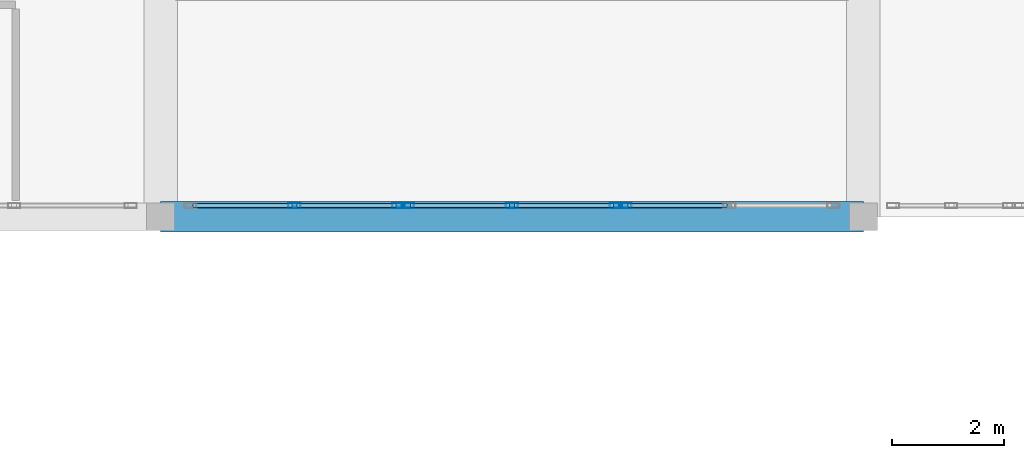
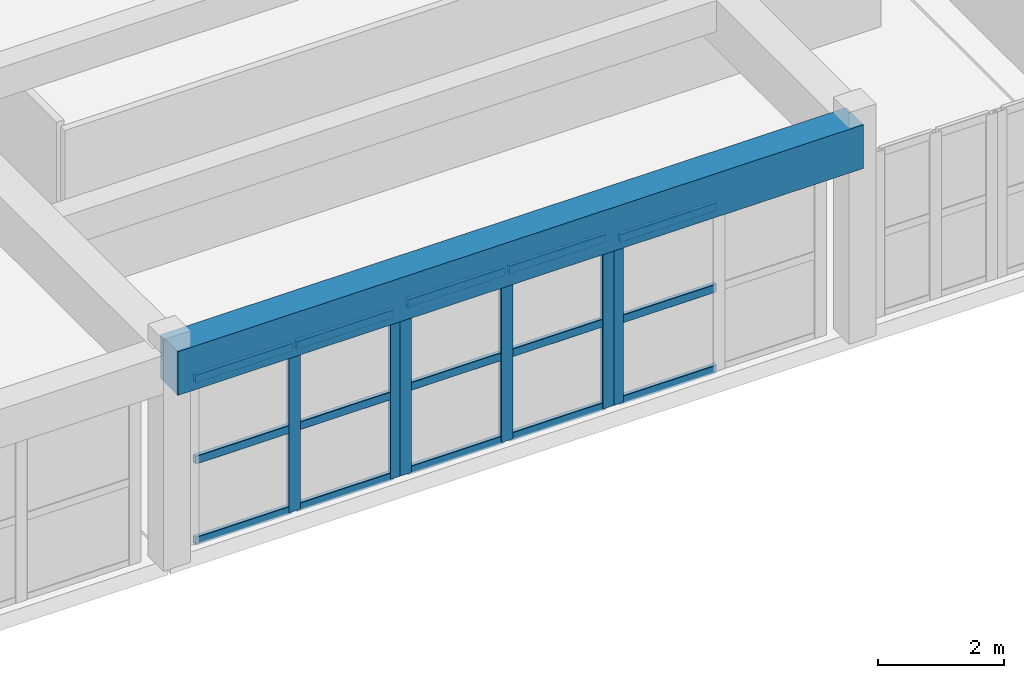
# One storey, part 20 of 92: 21 members, 1 beam, 3 elements without a shape of their own.
"""IFC4 building model written with IfcOpenShell, lengths in metres."""

from ifc_helpers import new_model, si_unit, direction, frame, origin, origin_2d, place, context, subcontext, project, spatial, rectangle, hollow_rectangle, extrude, material, layer, layer_set, material_profile, profile_set, type_object, element, aggregate, save


model = new_model("IFC4")

# Units and contexts
model_context = context("Model", 3, precision=1e-05, world=origin(), true_north=direction((0.0, 1.0)))
body_context = subcontext(model_context, "Body", "Model", "MODEL_VIEW")
ifc_project = project(units=[si_unit("LENGTHUNIT", "METRE"), si_unit("AREAUNIT", "SQUARE_METRE"), si_unit("VOLUMEUNIT", "CUBIC_METRE"), si_unit("PLANEANGLEUNIT", "RADIAN"), si_unit("MASSUNIT", "GRAM", prefix="KILO")], contexts=[model_context])

# Site, building, storey
site_placement = place(None, origin())
site = spatial("IfcSite", under=ifc_project, at=site_placement, CompositionType="ELEMENT")
building_placement = place(site_placement, origin())
building = spatial("IfcBuilding", under=site, at=building_placement, Name="Tarnavel Promenade Courthouse", CompositionType="ELEMENT")
storey_placement = place(building_placement, frame((0.0, 0.0, 5.39990234375)))
storey = spatial("IfcBuildingStorey", under=building, at=storey_placement, Name="L02", CompositionType="ELEMENT", Elevation=5.39990234375)

# Beam
ifc_material_1 = material(Name="Concrete C40/50", Category="concrete")
ifc_material_profile_1 = material_profile(ifc_material_1, rectangle(XDim=0.550048828125, YDim=0.85009765625, at=origin_2d()), Name="PT 550x850")
ifc_profile_set_1 = profile_set([ifc_material_profile_1], Name="Concrete C40/50")
beam_type = type_object("IfcBeamType", Name="Concrete C40/50 BM-PT-550x850 (PT 550x850)", PredefinedType="T_BEAM", material=ifc_profile_set_1)
beam_placement = place(storey_placement, frame((102.0, 46.800048828125, 3.77001953125), z_axis=(1.0, 0.0, 0.0), x_axis=(0.0, 1.0, 0.0)))
element("IfcBeam", 1, at=beam_placement, inside=storey, type_object=beam_type, Name="L02 Primary Longitudinal Beam 1115", PredefinedType="T_BEAM", context=body_context, shape_type="SweptSolid", body=[
    extrude(rectangle(XDim=0.550048828125, YDim=0.85009765625, at=origin_2d()), origin(), (0.0, 0.0, 1.0), 12.60009765625),
])

# Curtain wall, members
ifc_material_2 = material(Name="Thermally Broken Anodised Aluminium Curtain Wall System", Category="aluminium")
ifc_layer = layer(ifc_material_2, 0.239990234375)
ifc_layer_set = layer_set([ifc_layer], Name="Thermally Broken Anodised Aluminium Curtain Wall System")
curtain_wall_type = type_object("IfcCurtainWallType", Name="Thermally Broken Aluminium Triple-Glazed Curtain Wall CW-WG-S", PredefinedType="NOTDEFINED", material=ifc_layer_set)
curtain_wall_1_placement = place(storey_placement, origin())
curtain_wall_1 = element("IfcCurtainWall", 2, at=curtain_wall_1_placement, inside=storey, type_object=curtain_wall_type, Name="L02 Winter-Garden South Solar Curtain Wall 077", PredefinedType="NOTDEFINED")
ifc_material_3 = material(Name="Thermally Broken Anodised Aluminium Frame", Category="aluminium")
ifc_material_profile_2 = material_profile(ifc_material_3, hollow_rectangle(XDim=0.090087890625, YDim=0.219970703125, WallThickness=0.0048828125, InnerFilletRadius=0.0048828125, OuterFilletRadius=0.010009765625, at=origin_2d()), Name="CWM 220x90x5")
ifc_profile_set_2 = profile_set([ifc_material_profile_2], Name="Thermally Broken Anodised Aluminium Frame")
member_type_1 = type_object("IfcMemberType", Name="Thermally Broken Anodised Aluminium CWM-175 (CWM 220x90x5)", PredefinedType="MULLION", material=ifc_profile_set_2)
member_1_placement = place(storey_placement, frame((104.39990234375, 47.0, 0.0), z_axis=(0.0, 0.0, 1.0), x_axis=(0.0, 1.0, 0.0)))
member_1 = element("IfcMember", 3, at=member_1_placement, type_object=member_type_1, Name="CW-02 mullion 2", PredefinedType="MULLION", context=body_context, shape_type="SweptSolid", body=[
    extrude(hollow_rectangle(XDim=0.090087890625, YDim=0.219970703125, WallThickness=0.0048828125, InnerFilletRadius=0.0048828125, OuterFilletRadius=0.010009765625, at=origin_2d()), origin(), (0.0, 0.0, 1.0), 3.22998046875),
])
member_2_placement = place(storey_placement, frame((106.264892578125, 47.0, 0.0), z_axis=(0.0, 0.0, 1.0), x_axis=(0.0, 1.0, 0.0)))
member_2 = element("IfcMember", 4, at=member_2_placement, type_object=member_type_1, Name="CW-02 mullion 3", PredefinedType="MULLION", context=body_context, shape_type="SweptSolid", body=[
    extrude(hollow_rectangle(XDim=0.090087890625, YDim=0.219970703125, WallThickness=0.0048828125, InnerFilletRadius=0.0048828125, OuterFilletRadius=0.010009765625, at=origin_2d()), origin(), (0.0, 0.0, 1.0), 3.22998046875),
])

curtain_wall_2_placement = place(storey_placement, origin())
curtain_wall_2 = element("IfcCurtainWall", 5, at=curtain_wall_2_placement, inside=storey, type_object=curtain_wall_type, Name="L02 Winter-Garden South Solar Curtain Wall 078", PredefinedType="NOTDEFINED")
member_3_placement = place(storey_placement, frame((106.43505859375, 47.0, 0.0), z_axis=(0.0, 0.0, 1.0), x_axis=(0.0, 1.0, 0.0)))
member_3 = element("IfcMember", 6, at=member_3_placement, type_object=member_type_1, Name="CW-02 mullion 1", PredefinedType="MULLION", context=body_context, shape_type="SweptSolid", body=[
    extrude(hollow_rectangle(XDim=0.090087890625, YDim=0.219970703125, WallThickness=0.0048828125, InnerFilletRadius=0.0048828125, OuterFilletRadius=0.010009765625, at=origin_2d()), origin(), (0.0, 0.0, 1.0), 3.330078125),
])
member_4_placement = place(storey_placement, frame((108.300048828125, 47.0, 0.0), z_axis=(0.0, 0.0, 1.0), x_axis=(0.0, 1.0, 0.0)))
member_4 = element("IfcMember", 7, at=member_4_placement, type_object=member_type_1, Name="CW-02 mullion 2", PredefinedType="MULLION", context=body_context, shape_type="SweptSolid", body=[
    extrude(hollow_rectangle(XDim=0.090087890625, YDim=0.219970703125, WallThickness=0.0048828125, InnerFilletRadius=0.0048828125, OuterFilletRadius=0.010009765625, at=origin_2d()), origin(), (0.0, 0.0, 1.0), 3.330078125),
])
member_5_placement = place(storey_placement, frame((110.1650390625, 47.0, 0.0), z_axis=(0.0, 0.0, 1.0), x_axis=(0.0, 1.0, 0.0)))
member_5 = element("IfcMember", 8, at=member_5_placement, type_object=member_type_1, Name="CW-02 mullion 3", PredefinedType="MULLION", context=body_context, shape_type="SweptSolid", body=[
    extrude(hollow_rectangle(XDim=0.090087890625, YDim=0.219970703125, WallThickness=0.0048828125, InnerFilletRadius=0.0048828125, OuterFilletRadius=0.010009765625, at=origin_2d()), origin(), (0.0, 0.0, 1.0), 3.330078125),
])

# Curtain wall, member
curtain_wall_3_placement = place(storey_placement, origin())
curtain_wall_3 = element("IfcCurtainWall", 9, at=curtain_wall_3_placement, inside=storey, type_object=curtain_wall_type, Name="L02 Winter-Garden South Solar Curtain Wall 079", PredefinedType="NOTDEFINED")
member_6_placement = place(storey_placement, frame((110.3349609375, 47.0, 0.0), z_axis=(0.0, 0.0, 1.0), x_axis=(0.0, 1.0, 0.0)))
member_6 = element("IfcMember", 10, at=member_6_placement, type_object=member_type_1, Name="CW-02 mullion 1", PredefinedType="MULLION", context=body_context, shape_type="SweptSolid", body=[
    extrude(hollow_rectangle(XDim=0.090087890625, YDim=0.219970703125, WallThickness=0.0048828125, InnerFilletRadius=0.0048828125, OuterFilletRadius=0.010009765625, at=origin_2d()), origin(), (0.0, 0.0, 1.0), 3.22998046875),
])

# Member
ifc_material_profile_3 = material_profile(ifc_material_3, hollow_rectangle(XDim=0.080078125, YDim=0.159912109375, WallThickness=0.0048828125, InnerFilletRadius=0.0048828125, OuterFilletRadius=0.010009765625, at=origin_2d()), Name="CWT 160x80x5")
ifc_profile_set_3 = profile_set([ifc_material_profile_3], Name="Thermally Broken Anodised Aluminium Frame")
member_type_2 = type_object("IfcMemberType", Name="Thermally Broken Anodised Aluminium CWT-145 (CWT 160x80x5)", PredefinedType="USERDEFINED", material=ifc_profile_set_3)
member_7_placement = place(storey_placement, frame((102.580078125, 47.0, 0.0400390625), z_axis=(1.0, 0.0, 0.0), x_axis=(0.0, 1.0, 0.0)))
member_7 = element("IfcMember", 11, at=member_7_placement, type_object=member_type_2, Name="CW-02 transom 1.1", ObjectType="TRANSOM", PredefinedType="USERDEFINED", context=body_context, shape_type="SweptSolid", body=[
    extrude(hollow_rectangle(XDim=0.080078125, YDim=0.159912109375, WallThickness=0.0048828125, InnerFilletRadius=0.0048828125, OuterFilletRadius=0.010009765625, at=origin_2d()), origin(), (0.0, 0.0, 1.0), 1.77490234375),
])

member_8_placement = place(storey_placement, frame((102.580078125, 47.0, 1.614990234375), z_axis=(1.0, 0.0, 0.0), x_axis=(0.0, 1.0, 0.0)))
member_8 = element("IfcMember", 12, at=member_8_placement, type_object=member_type_2, Name="CW-02 transom 1.2", ObjectType="TRANSOM", PredefinedType="USERDEFINED", context=body_context, shape_type="SweptSolid", body=[
    extrude(hollow_rectangle(XDim=0.080078125, YDim=0.159912109375, WallThickness=0.0048828125, InnerFilletRadius=0.0048828125, OuterFilletRadius=0.010009765625, at=origin_2d()), origin(), (0.0, 0.0, 1.0), 1.77490234375),
])

member_9_placement = place(storey_placement, frame((102.580078125, 47.0, 3.190185546875), z_axis=(1.0, 0.0, 0.0), x_axis=(0.0, 1.0, 0.0)))
member_9 = element("IfcMember", 13, at=member_9_placement, type_object=member_type_2, Name="CW-02 transom 1.3", ObjectType="TRANSOM", PredefinedType="USERDEFINED", context=body_context, shape_type="SweptSolid", body=[
    extrude(hollow_rectangle(XDim=0.080078125, YDim=0.159912109375, WallThickness=0.0048828125, InnerFilletRadius=0.0048828125, OuterFilletRadius=0.010009765625, at=origin_2d()), origin(), (0.0, 0.0, 1.0), 1.77490234375),
])

member_10_placement = place(storey_placement, frame((104.445068359375, 47.0, 0.0400390625), z_axis=(1.0, 0.0, 0.0), x_axis=(0.0, 1.0, 0.0)))
member_10 = element("IfcMember", 14, at=member_10_placement, type_object=member_type_2, Name="CW-02 transom 2.1", ObjectType="TRANSOM", PredefinedType="USERDEFINED", context=body_context, shape_type="SweptSolid", body=[
    extrude(hollow_rectangle(XDim=0.080078125, YDim=0.159912109375, WallThickness=0.0048828125, InnerFilletRadius=0.0048828125, OuterFilletRadius=0.010009765625, at=origin_2d()), origin(), (0.0, 0.0, 1.0), 1.77490234375),
])

member_11_placement = place(storey_placement, frame((104.445068359375, 47.0, 1.614990234375), z_axis=(1.0, 0.0, 0.0), x_axis=(0.0, 1.0, 0.0)))
member_11 = element("IfcMember", 15, at=member_11_placement, type_object=member_type_2, Name="CW-02 transom 2.2", ObjectType="TRANSOM", PredefinedType="USERDEFINED", context=body_context, shape_type="SweptSolid", body=[
    extrude(hollow_rectangle(XDim=0.080078125, YDim=0.159912109375, WallThickness=0.0048828125, InnerFilletRadius=0.0048828125, OuterFilletRadius=0.010009765625, at=origin_2d()), origin(), (0.0, 0.0, 1.0), 1.77490234375),
])

member_12_placement = place(storey_placement, frame((104.445068359375, 47.0, 3.190185546875), z_axis=(1.0, 0.0, 0.0), x_axis=(0.0, 1.0, 0.0)))
member_12 = element("IfcMember", 16, at=member_12_placement, type_object=member_type_2, Name="CW-02 transom 2.3", ObjectType="TRANSOM", PredefinedType="USERDEFINED", context=body_context, shape_type="SweptSolid", body=[
    extrude(hollow_rectangle(XDim=0.080078125, YDim=0.159912109375, WallThickness=0.0048828125, InnerFilletRadius=0.0048828125, OuterFilletRadius=0.010009765625, at=origin_2d()), origin(), (0.0, 0.0, 1.0), 1.77490234375),
])

aggregate(curtain_wall_1, [member_1, member_2, member_7, member_8, member_9, member_10, member_11, member_12])

member_13_placement = place(storey_placement, frame((106.47998046875, 47.0, 0.0400390625), z_axis=(1.0, 0.0, 0.0), x_axis=(0.0, 1.0, 0.0)))
member_13 = element("IfcMember", 17, at=member_13_placement, type_object=member_type_2, Name="CW-02 transom 1.1", ObjectType="TRANSOM", PredefinedType="USERDEFINED", context=body_context, shape_type="SweptSolid", body=[
    extrude(hollow_rectangle(XDim=0.080078125, YDim=0.159912109375, WallThickness=0.0048828125, InnerFilletRadius=0.0048828125, OuterFilletRadius=0.010009765625, at=origin_2d()), origin(), (0.0, 0.0, 1.0), 1.77490234375),
])

member_14_placement = place(storey_placement, frame((106.47998046875, 47.0, 1.6650390625), z_axis=(1.0, 0.0, 0.0), x_axis=(0.0, 1.0, 0.0)))
member_14 = element("IfcMember", 18, at=member_14_placement, type_object=member_type_2, Name="CW-02 transom 1.2", ObjectType="TRANSOM", PredefinedType="USERDEFINED", context=body_context, shape_type="SweptSolid", body=[
    extrude(hollow_rectangle(XDim=0.080078125, YDim=0.159912109375, WallThickness=0.0048828125, InnerFilletRadius=0.0048828125, OuterFilletRadius=0.010009765625, at=origin_2d()), origin(), (0.0, 0.0, 1.0), 1.77490234375),
])

member_15_placement = place(storey_placement, frame((106.47998046875, 47.0, 3.2900390625), z_axis=(1.0, 0.0, 0.0), x_axis=(0.0, 1.0, 0.0)))
member_15 = element("IfcMember", 19, at=member_15_placement, type_object=member_type_2, Name="CW-02 transom 1.3", ObjectType="TRANSOM", PredefinedType="USERDEFINED", context=body_context, shape_type="SweptSolid", body=[
    extrude(hollow_rectangle(XDim=0.080078125, YDim=0.159912109375, WallThickness=0.0048828125, InnerFilletRadius=0.0048828125, OuterFilletRadius=0.010009765625, at=origin_2d()), origin(), (0.0, 0.0, 1.0), 1.77490234375),
])

member_16_placement = place(storey_placement, frame((108.344970703125, 47.0, 0.0400390625), z_axis=(1.0, 0.0, 0.0), x_axis=(0.0, 1.0, 0.0)))
member_16 = element("IfcMember", 20, at=member_16_placement, type_object=member_type_2, Name="CW-02 transom 2.1", ObjectType="TRANSOM", PredefinedType="USERDEFINED", context=body_context, shape_type="SweptSolid", body=[
    extrude(hollow_rectangle(XDim=0.080078125, YDim=0.159912109375, WallThickness=0.0048828125, InnerFilletRadius=0.0048828125, OuterFilletRadius=0.010009765625, at=origin_2d()), origin(), (0.0, 0.0, 1.0), 1.775146484375),
])

member_17_placement = place(storey_placement, frame((108.344970703125, 47.0, 1.6650390625), z_axis=(1.0, 0.0, 0.0), x_axis=(0.0, 1.0, 0.0)))
member_17 = element("IfcMember", 21, at=member_17_placement, type_object=member_type_2, Name="CW-02 transom 2.2", ObjectType="TRANSOM", PredefinedType="USERDEFINED", context=body_context, shape_type="SweptSolid", body=[
    extrude(hollow_rectangle(XDim=0.080078125, YDim=0.159912109375, WallThickness=0.0048828125, InnerFilletRadius=0.0048828125, OuterFilletRadius=0.010009765625, at=origin_2d()), origin(), (0.0, 0.0, 1.0), 1.775146484375),
])

member_18_placement = place(storey_placement, frame((108.344970703125, 47.0, 3.2900390625), z_axis=(1.0, 0.0, 0.0), x_axis=(0.0, 1.0, 0.0)))
member_18 = element("IfcMember", 22, at=member_18_placement, type_object=member_type_2, Name="CW-02 transom 2.3", ObjectType="TRANSOM", PredefinedType="USERDEFINED", context=body_context, shape_type="SweptSolid", body=[
    extrude(hollow_rectangle(XDim=0.080078125, YDim=0.159912109375, WallThickness=0.0048828125, InnerFilletRadius=0.0048828125, OuterFilletRadius=0.010009765625, at=origin_2d()), origin(), (0.0, 0.0, 1.0), 1.775146484375),
])

aggregate(curtain_wall_2, [member_3, member_4, member_5, member_13, member_14, member_15, member_16, member_17, member_18])

member_19_placement = place(storey_placement, frame((110.3798828125, 47.0, 0.0400390625), z_axis=(1.0, 0.0, 0.0), x_axis=(0.0, 1.0, 0.0)))
member_19 = element("IfcMember", 23, at=member_19_placement, type_object=member_type_2, Name="CW-02 transom 1.1", ObjectType="TRANSOM", PredefinedType="USERDEFINED", context=body_context, shape_type="SweptSolid", body=[
    extrude(hollow_rectangle(XDim=0.080078125, YDim=0.159912109375, WallThickness=0.0048828125, InnerFilletRadius=0.0048828125, OuterFilletRadius=0.010009765625, at=origin_2d()), origin(), (0.0, 0.0, 1.0), 1.775146484375),
])

member_20_placement = place(storey_placement, frame((110.3798828125, 47.0, 1.614990234375), z_axis=(1.0, 0.0, 0.0), x_axis=(0.0, 1.0, 0.0)))
member_20 = element("IfcMember", 24, at=member_20_placement, type_object=member_type_2, Name="CW-02 transom 1.2", ObjectType="TRANSOM", PredefinedType="USERDEFINED", context=body_context, shape_type="SweptSolid", body=[
    extrude(hollow_rectangle(XDim=0.080078125, YDim=0.159912109375, WallThickness=0.0048828125, InnerFilletRadius=0.0048828125, OuterFilletRadius=0.010009765625, at=origin_2d()), origin(), (0.0, 0.0, 1.0), 1.775146484375),
])

member_21_placement = place(storey_placement, frame((110.3798828125, 47.0, 3.190185546875), z_axis=(1.0, 0.0, 0.0), x_axis=(0.0, 1.0, 0.0)))
member_21 = element("IfcMember", 25, at=member_21_placement, type_object=member_type_2, Name="CW-02 transom 1.3", ObjectType="TRANSOM", PredefinedType="USERDEFINED", context=body_context, shape_type="SweptSolid", body=[
    extrude(hollow_rectangle(XDim=0.080078125, YDim=0.159912109375, WallThickness=0.0048828125, InnerFilletRadius=0.0048828125, OuterFilletRadius=0.010009765625, at=origin_2d()), origin(), (0.0, 0.0, 1.0), 1.775146484375),
])

aggregate(curtain_wall_3, [member_6, member_19, member_20, member_21])

save(model, "model.ifc")
